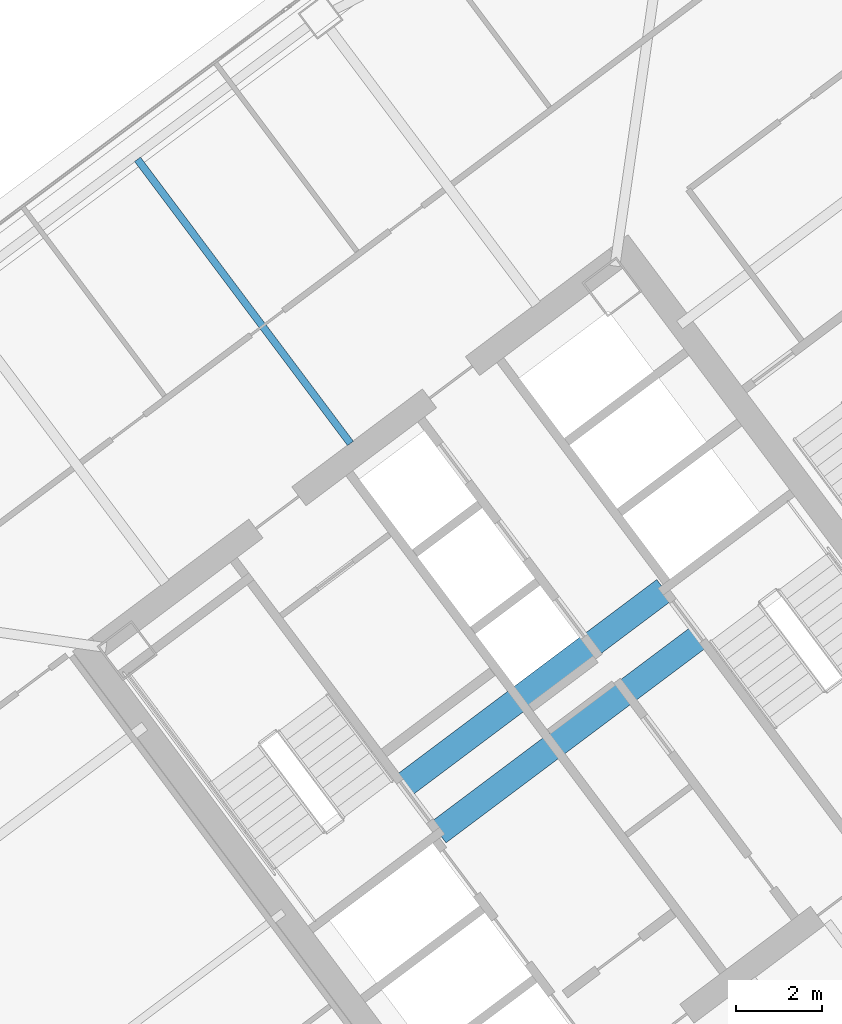
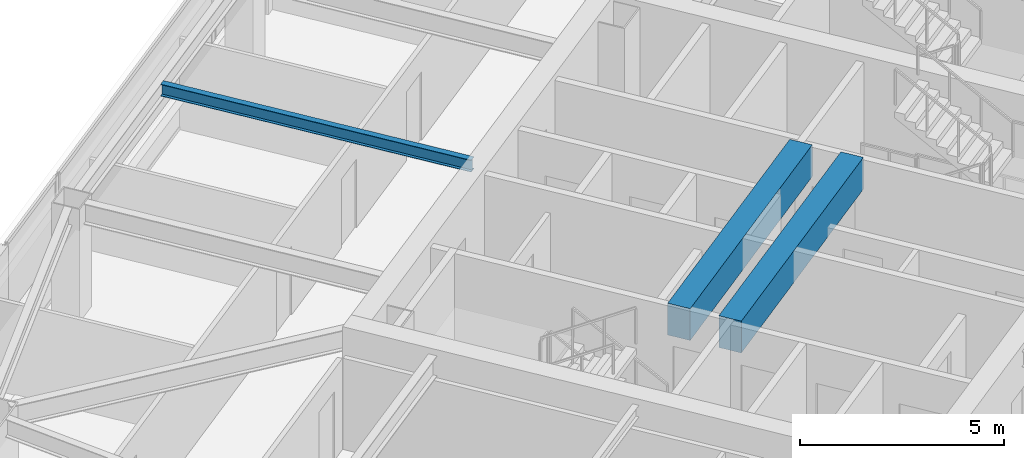
# One storey, part 23 of 42: 3 beams.
"""IFC4 building model written with IfcOpenShell, lengths in metres."""

from ifc_helpers import new_model, si_unit, direction, frame, origin, origin_2d, place, context, subcontext, project, spatial, rectangle, i_section, extrude, material, material_profile, profile_set, type_object, element, save


model = new_model("IFC4")

# Units and contexts
model_context = context("Model", 3, precision=1e-05, world=origin(), true_north=direction((0.0, 1.0)))
body_context = subcontext(model_context, "Body", "Model", "MODEL_VIEW")
ifc_project = project(units=[si_unit("LENGTHUNIT", "METRE"), si_unit("AREAUNIT", "SQUARE_METRE"), si_unit("VOLUMEUNIT", "CUBIC_METRE"), si_unit("PLANEANGLEUNIT", "RADIAN"), si_unit("MASSUNIT", "GRAM", prefix="KILO")], contexts=[model_context])

# Site, building, storey
site_placement = place(None, origin())
site = spatial("IfcSite", under=ifc_project, at=site_placement, CompositionType="ELEMENT")
building_placement = place(site_placement, origin())
building = spatial("IfcBuilding", under=site, at=building_placement, Name="Tashvorn Skyway Center", CompositionType="ELEMENT")
storey_placement = place(building_placement, frame((0.0, 0.0, 164.10009765625)))
storey = spatial("IfcBuildingStorey", under=building, at=storey_placement, Name="L44", CompositionType="ELEMENT", Elevation=164.10009765625)

# Beams
ifc_material_1 = material(Name="Steel ASTM A992 Grade 50", Category="steel")
ifc_material_profile_1 = material_profile(ifc_material_1, i_section(OverallWidth=0.1708984375, OverallDepth=0.35498046875, WebThickness=0.007080078125, FlangeThickness=0.01171875, at=origin_2d()), Name="W14X34")
ifc_profile_set_1 = profile_set([ifc_material_profile_1], Name="Steel ASTM A992 Grade 50")
beam_type_1 = type_object("IfcBeamType", Name="BM-JOIST-W14X34", PredefinedType="JOIST", material=ifc_profile_set_1)
beam_placement = place(storey_placement, frame((109.325927734375, 38.23193359375, 3.1923828125), z_axis=(-0.59999527236, 0.800003545708, 0.0), x_axis=(-0.800003545708, -0.59999527236, 0.0)))
element("IfcBeam", 1, at=beam_placement, inside=storey, type_object=beam_type_1, Name="Tower 2 L44 Secondary Composite Joist JN", PredefinedType="JOIST", context=body_context, shape_type="SweptSolid", body=[
    extrude(i_section(OverallWidth=0.1708984375, OverallDepth=0.35498046875, WebThickness=0.007080078125, FlangeThickness=0.01171875, at=origin_2d()), origin(), (0.0, 0.0, 1.0), 8.2626953125),
])
ifc_material_2 = material(Name="Concrete C60/75", Category="concrete")
ifc_material_profile_2 = material_profile(ifc_material_2, rectangle(XDim=0.60009765625, YDim=0.949951171875, at=origin_2d()), Name="RCB600x950")
ifc_profile_set_2 = profile_set([ifc_material_profile_2], Name="Concrete C60/75")
beam_type_2 = type_object("IfcBeamType", Name="BM-LINTEL-RCB600x950", PredefinedType="LINTEL", material=ifc_profile_set_2)
for number, where, z_axis, x_axis, name in (
    (2, (110.552001953125, 30.263916015625, 2.89501953125), (0.8, 0.6, 0.0), (-0.6, 0.8, 0.0), "Tower 2 L44 Core Coupling Beam CN"),
    (3, (111.367919921875, 29.176025390625, 2.89501953125), (0.8, 0.6, 0.0), (-0.6, 0.8, 0.0), "Tower 2 L44 Core Coupling Beam CS"),
):
    element("IfcBeam", number, at=place(storey_placement, frame(where, z_axis=z_axis, x_axis=x_axis)), inside=storey, type_object=beam_type_2, Name=name, PredefinedType="LINTEL", context=body_context, shape_type="SweptSolid", body=[
        extrude(rectangle(XDim=0.60009765625, YDim=0.949951171875, at=origin_2d()), origin(), (0.0, 0.0, 1.0), 7.60009765625),
    ])

save(model, "model.ifc")
